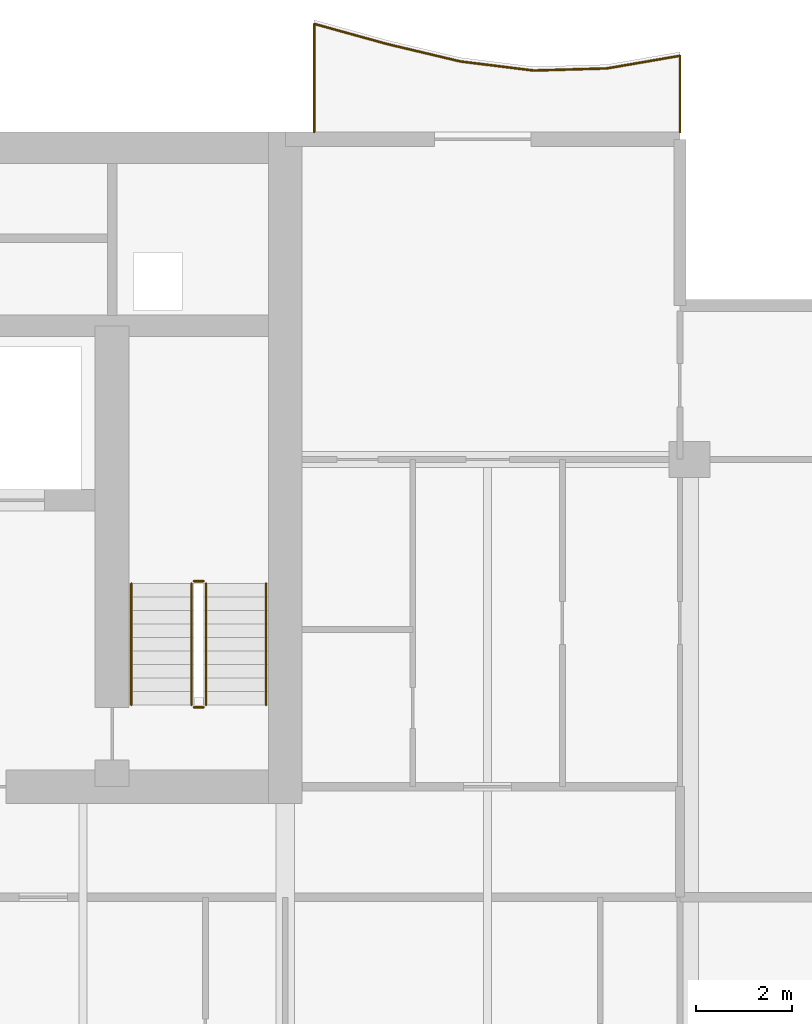
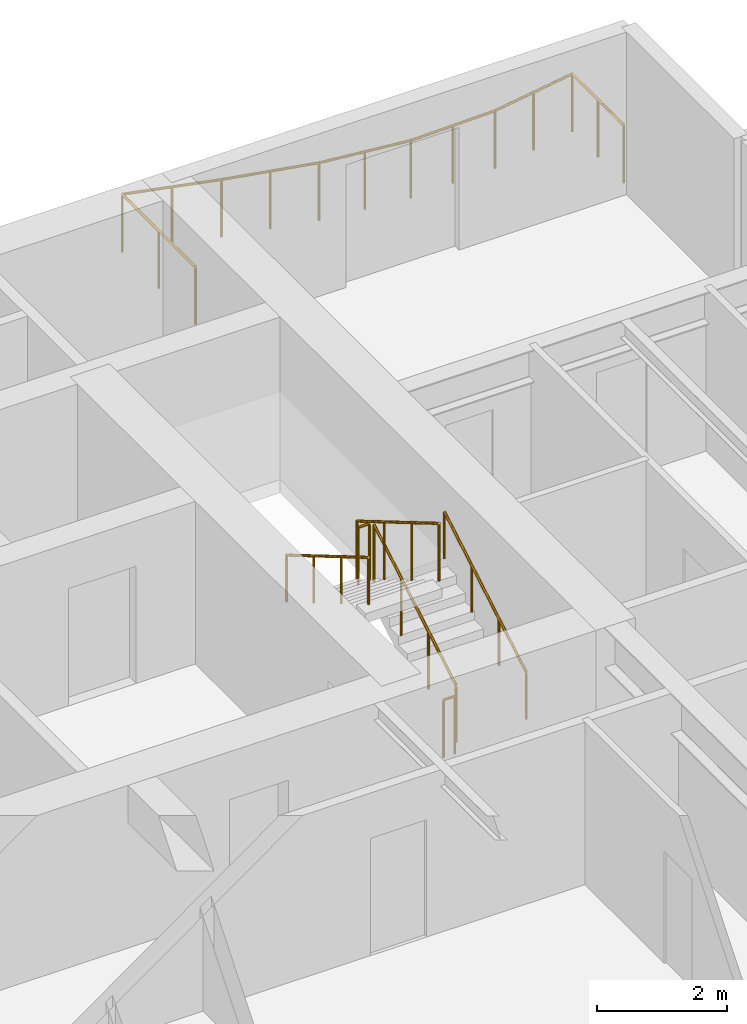
# One storey, part 15 of 16: 7 railings.
"""IFC4 building model written with IfcOpenShell, lengths in metres."""

import ifcopenshell
import ifcopenshell.guid

model = None  # the IFC model being written
_history = None  # IfcOwnerHistory: only IFC2X3 demands one
_inside = {}  # id of a spatial element -> (the spatial element, [elements in it])
_under = {}  # id of a project, library or spatial element -> (it, [spatial elements below it])
_declared = {}  # id of a project -> (the project, [libraries it declares])
_typed = {}  # id of a type object -> (the type object, [elements of that type])
_made_of = {}  # id of a material, layer set ... -> (it, [elements and type objects made of it])


def new_model(schema):
    """Start an empty IFC model of exactly this schema.

    Asked for "IFC4X3", IfcOpenShell would pick the latest addendum, in which some entities
    have other attributes; the version numbers below select the first issue.
    IFC2X3 requires an IfcOwnerHistory on every rooted entity: one is made here for all.
    """
    global model, _history
    if schema == "IFC4X3":
        model = ifcopenshell.file(schema_version=(4, 3, 0, 0))
    else:
        model = ifcopenshell.file(schema=schema)
    _inside.clear()
    _under.clear()
    _declared.clear()
    _typed.clear()
    _made_of.clear()
    _history = None
    if model.schema == "IFC2X3":
        org = make("IfcOrganization", Name="unknown")
        user = make(
            "IfcPersonAndOrganization",
            ThePerson=make("IfcPerson", FamilyName="unknown"),
            TheOrganization=org,
        )
        app = make(
            "IfcApplication",
            ApplicationDeveloper=org,
            Version="unknown",
            ApplicationFullName="unknown",
            ApplicationIdentifier="unknown",
        )
        _history = make(
            "IfcOwnerHistory",
            OwningUser=user,
            OwningApplication=app,
            ChangeAction="ADDED",
            CreationDate=0,
        )
    return model


def make(cls, **values):
    """One entity of the class cls with the attributes given. An attribute that is None is left unset."""
    return model.create_entity(
        cls, **{name: value for name, value in values.items() if value is not None}
    )


def rooted(cls, **values):
    """An entity with a GlobalId (a new one), such as an element, a storey or a relation."""
    return make(cls, GlobalId=ifcopenshell.guid.new(), OwnerHistory=_history, **values)


def si_unit(unit_type, name, prefix=None):
    """IfcSIUnit, for example si_unit("LENGTHUNIT", "METRE", prefix="MILLI")."""
    return make("IfcSIUnit", UnitType=unit_type, Prefix=prefix, Name=name)


def assignment(units):
    """IfcUnitAssignment: the units of a project."""
    return None if units is None else make("IfcUnitAssignment", Units=units)


def point(xyz):
    """IfcCartesianPoint."""
    return None if xyz is None else make("IfcCartesianPoint", Coordinates=xyz)


def direction(xyz):
    """IfcDirection."""
    return None if xyz is None else make("IfcDirection", DirectionRatios=xyz)


def frame(location, z_axis=None, x_axis=None):
    """IfcAxis2Placement3D, a coordinate frame: its origin and axes. An axis left out is left unset."""
    return make(
        "IfcAxis2Placement3D",
        Location=point(location),
        Axis=direction(z_axis),
        RefDirection=direction(x_axis),
    )


def frame_2d(location, x_axis=None):
    """IfcAxis2Placement2D, a coordinate frame in the plane: its origin and x axis."""
    return make(
        "IfcAxis2Placement2D", Location=point(location), RefDirection=direction(x_axis)
    )


def origin():
    """The frame at (0, 0, 0) with its axes left unset."""
    return frame((0.0, 0.0, 0.0))


def origin_2d():
    """The frame at (0, 0) in the plane with its x axis left unset."""
    return frame_2d((0.0, 0.0))


def place(relative_to, where):
    """IfcLocalPlacement: puts the frame where relative to a parent placement (None: the world)."""
    return make(
        "IfcLocalPlacement", PlacementRelTo=relative_to, RelativePlacement=where
    )


def context(
    kind, dimensions, precision=None, world=None, true_north=None, identifier=None
):
    """IfcGeometricRepresentationContext, for example the 3D "Model" context."""
    return make(
        "IfcGeometricRepresentationContext",
        ContextIdentifier=identifier,
        ContextType=kind,
        CoordinateSpaceDimension=dimensions,
        Precision=precision,
        WorldCoordinateSystem=world,
        TrueNorth=true_north,
    )


def subcontext(parent, identifier, kind, view, scale=None):
    """IfcGeometricRepresentationSubContext, for example "Body" below "Model"."""
    return make(
        "IfcGeometricRepresentationSubContext",
        ContextIdentifier=identifier,
        ContextType=kind,
        ParentContext=parent,
        TargetScale=scale,
        TargetView=view,
    )


def project(units=None, contexts=None):
    """IfcProject with its units and contexts."""
    return rooted(
        "IfcProject",
        Name="project",
        RepresentationContexts=contexts,
        UnitsInContext=assignment(units),
    )


def spatial(cls, under=None, at=None, **own):
    """A site, building, storey or space (cls), placed at a placement, below another one or the project."""
    s = rooted(cls, ObjectPlacement=at, **own)
    if under is not None:
        _under.setdefault(under.id(), (under, []))[1].append(s)
    return s


def profile(cls, at=None, kind="AREA", **sizes):
    """A parametric profile (cls). Its sizes go by their IFC names, for example OverallWidth=200.0."""
    return make(cls, ProfileType=kind, Position=at, **sizes)


def circle(**sizes):
    """IfcCircleProfileDef."""
    return profile("IfcCircleProfileDef", **sizes)


def extrude(swept, where, along, depth):
    """IfcExtrudedAreaSolid: the profile swept, set in the frame where, extruded along a direction by depth."""
    return make(
        "IfcExtrudedAreaSolid",
        SweptArea=swept,
        Position=where,
        ExtrudedDirection=direction(along),
        Depth=depth,
    )


def shape(context_of_items, identifier, shape_type, items):
    """IfcShapeRepresentation: the items that make up one representation, for example the "Body"."""
    return make(
        "IfcShapeRepresentation",
        ContextOfItems=context_of_items,
        RepresentationIdentifier=identifier,
        RepresentationType=shape_type,
        Items=items,
    )


def material(Name=None, Category=None):
    """IfcMaterial."""
    return make("IfcMaterial", Name=Name, Category=Category)


def made_of(thing, what):
    """Note that an element or type object is made of a material, layer set ...; save() writes the relation."""
    if what is not None:
        _made_of.setdefault(what.id(), (what, []))[1].append(thing)
    return thing


def type_object(cls, material=None, **own):
    """A type object (cls), such as IfcWallType, which elements share."""
    return made_of(rooted(cls, **own), material)


def element(
    cls,
    number,
    at=None,
    inside=None,
    cuts=None,
    type_object=None,
    material=None,
    context=None,
    identifier="Body",
    shape_type=None,
    held_by="IfcProductDefinitionShape",
    body=None,
    shapes=None,
    **own,
):
    """One element of the class cls, such as IfcWall. Its Tag is "e" and its number.

    at: its placement. inside: the storey or other place that contains it. cuts: it is an
    opening in that element (IfcRelVoidsElement). A single representation is given by context,
    identifier, shape_type and body (its items); several are given by shapes. held_by: the class
    of the entity that holds the representations. save() writes the other relations.
    """
    e = rooted(cls, Tag="e%d" % number, ObjectPlacement=at, **own)
    if body is not None:
        shapes = [shape(context, identifier, shape_type, body)]
    if shapes is not None:
        e.Representation = make(held_by, Representations=shapes)
    if inside is not None:
        _inside.setdefault(inside.id(), (inside, []))[1].append(e)
    if cuts is not None:
        rooted(
            "IfcRelVoidsElement", RelatingBuildingElement=cuts, RelatedOpeningElement=e
        )
    if type_object is not None:
        _typed.setdefault(type_object.id(), (type_object, []))[1].append(e)
    return made_of(e, material)


def aggregate(whole, parts):
    """IfcRelAggregates: a whole, such as a stair, and the parts it consists of."""
    return rooted("IfcRelAggregates", RelatingObject=whole, RelatedObjects=parts)


def save(model, path):
    """Write the relations noted so far, then the file.

    IfcRelAggregates (storeys below a building ...), IfcRelContainedInSpatialStructure (elements
    in a storey), IfcRelDefinesByType, IfcRelAssociatesMaterial and IfcRelDeclares: one each for
    every whole, place, type object, material and project.
    """
    for whole, parts in _under.values():
        aggregate(whole, parts)
    for where, things in _inside.values():
        rooted(
            "IfcRelContainedInSpatialStructure",
            RelatedElements=things,
            RelatingStructure=where,
        )
    for kind, things in _typed.values():
        rooted("IfcRelDefinesByType", RelatedObjects=things, RelatingType=kind)
    for what, things in _made_of.values():
        rooted("IfcRelAssociatesMaterial", RelatedObjects=things, RelatingMaterial=what)
    for by, libraries in _declared.values():
        rooted("IfcRelDeclares", RelatingContext=by, RelatedDefinitions=libraries)
    model.write(path)


model = new_model("IFC4")

# Units and contexts
model_context = context("Model", 3, precision=1e-05, world=origin(), true_north=direction((0.0, 1.0)))
body_context = subcontext(model_context, "Body", "Model", "MODEL_VIEW")
ifc_project = project(units=[si_unit("LENGTHUNIT", "METRE"), si_unit("AREAUNIT", "SQUARE_METRE"), si_unit("VOLUMEUNIT", "CUBIC_METRE"), si_unit("PLANEANGLEUNIT", "RADIAN"), si_unit("MASSUNIT", "GRAM", prefix="KILO")], contexts=[model_context])

# Site, building, storey
site_placement = place(None, origin())
site = spatial("IfcSite", under=ifc_project, at=site_placement, CompositionType="ELEMENT")
building_placement = place(site_placement, origin())
building = spatial("IfcBuilding", under=site, at=building_placement, Name="Caelmar Bay Residences", CompositionType="ELEMENT")
storey_placement = place(building_placement, frame((0.0, 0.0, 198.300048828125)))
storey = spatial("IfcBuildingStorey", under=building, at=storey_placement, Name="L55", CompositionType="ELEMENT", Elevation=198.300048828125)

# Railings
ifc_material_1 = material(Name="Anodised bronze handrail with laminated hurricane glass infill", Category="glass")
railing_type_1 = type_object("IfcRailingType", Name="RL-BAL-1100", PredefinedType="BALUSTRADE", material=ifc_material_1)
railing_1_placement = place(storey_placement, frame((67.699951171875, 50.60009765625, 0.0)))
element("IfcRailing", 1, at=railing_1_placement, inside=storey, type_object=railing_type_1, Name="L55 north_east Balcony Balustrade", PredefinedType="BALUSTRADE", context=body_context, shape_type="SweptSolid", body=[
    extrude(circle(Radius=0.02392578125, at=origin_2d()), frame((0.0, 0.0, 1.076171875), z_axis=(0.0, 1.0, 0.0), x_axis=(-1.0, 0.0, 0.0)), (0.0, 0.0, 1.0), 1.588134765625),
    extrude(circle(Radius=0.02392578125, at=origin_2d()), frame((0.0, 1.588134765625, 1.076171875), z_axis=(-0.985445490472, -0.169991721293, 0.0), x_axis=(0.169991721293, -0.985445490472, 0.0)), (0.0, 0.0, 1.0), 1.54248046875),
    extrude(circle(Radius=0.02392578125, at=origin_2d()), frame((-1.52001953125, 1.325927734375, 1.076171875), z_axis=(-0.999582338318, -0.028898943286, 0.0), x_axis=(0.028898943286, -0.999582338318, 0.0)), (0.0, 0.0, 1.0), 1.520751953125),
    extrude(circle(Radius=0.02392578125, at=origin_2d()), frame((-3.0400390625, 1.281982421875, 1.076171875), z_axis=(-0.992419457445, 0.122896787936, 0.0), x_axis=(-0.122896787936, -0.992419457445, 0.0)), (0.0, 0.0, 1.0), 1.53173828125),
    extrude(circle(Radius=0.02392578125, at=origin_2d()), frame((-4.56005859375, 1.47021484375, 1.076171875), z_axis=(-0.972916782402, 0.231155649987, 0.0), x_axis=(-0.231155649987, -0.972916782402, 0.0)), (0.0, 0.0, 1.0), 1.56201171875),
    extrude(circle(Radius=0.02392578125, at=origin_2d()), frame((-6.079833984375, 1.831298828125, 1.076171875), z_axis=(-0.96381450531, 0.266573815956, 0.0), x_axis=(-0.266573815956, -0.96381450531, 0.0)), (0.0, 0.0, 1.0), 1.5771484375),
    extrude(circle(Radius=0.02392578125, at=origin_2d()), frame((-7.599853515625, 2.251708984375, 1.076171875), z_axis=(0.0, -1.0, 0.0), x_axis=(1.0, 0.0, 0.0)), (0.0, 0.0, 1.0), 2.251708984375),
    extrude(circle(Radius=0.02099609375, at=origin_2d()), origin(), (0.0, 0.0, 1.0), 1.052001953125),
    extrude(circle(Radius=0.02099609375, at=origin_2d()), frame((0.0, 0.7939453125, 0.0)), (0.0, 0.0, 1.0), 1.052001953125),
    extrude(circle(Radius=0.02099609375, at=origin_2d()), frame((0.0, 1.588134765625, 0.0)), (0.0, 0.0, 1.0), 1.052001953125),
    extrude(circle(Radius=0.02099609375, at=origin_2d()), frame((-0.760009765625, 1.45703125, 0.0)), (0.0, 0.0, 1.0), 1.052001953125),
    extrude(circle(Radius=0.02099609375, at=origin_2d()), frame((-1.52001953125, 1.325927734375, 0.0)), (0.0, 0.0, 1.0), 1.052001953125),
    extrude(circle(Radius=0.02099609375, at=origin_2d()), frame((-2.280029296875, 1.303955078125, 0.0)), (0.0, 0.0, 1.0), 1.052001953125),
    extrude(circle(Radius=0.02099609375, at=origin_2d()), frame((-3.0400390625, 1.281982421875, 0.0)), (0.0, 0.0, 1.0), 1.052001953125),
    extrude(circle(Radius=0.02099609375, at=origin_2d()), frame((-3.800048828125, 1.3759765625, 0.0)), (0.0, 0.0, 1.0), 1.052001953125),
    extrude(circle(Radius=0.02099609375, at=origin_2d()), frame((-4.56005859375, 1.47021484375, 0.0)), (0.0, 0.0, 1.0), 1.052001953125),
    extrude(circle(Radius=0.02099609375, at=origin_2d()), frame((-5.31982421875, 1.65087890625, 0.0)), (0.0, 0.0, 1.0), 1.052001953125),
    extrude(circle(Radius=0.02099609375, at=origin_2d()), frame((-6.079833984375, 1.831298828125, 0.0)), (0.0, 0.0, 1.0), 1.052001953125),
    extrude(circle(Radius=0.02099609375, at=origin_2d()), frame((-6.83984375, 2.04150390625, 0.0)), (0.0, 0.0, 1.0), 1.052001953125),
    extrude(circle(Radius=0.02099609375, at=origin_2d()), frame((-7.599853515625, 2.251708984375, 0.0)), (0.0, 0.0, 1.0), 1.052001953125),
    extrude(circle(Radius=0.02099609375, at=origin_2d()), frame((-7.599853515625, 1.1259765625, 0.0)), (0.0, 0.0, 1.0), 1.052001953125),
    extrude(circle(Radius=0.02099609375, at=origin_2d()), frame((-7.599853515625, 0.0, 0.0)), (0.0, 0.0, 1.0), 1.052001953125),
])
ifc_material_2 = material(Name="Painted galvanized steel stair guard 1100 mm", Category="steel")
railing_type_2 = type_object("IfcRailingType", Name="RL-GRD-1100", PredefinedType="GUARDRAIL", material=ifc_material_2)
railing_2_placement = place(storey_placement, frame((57.85009765625, 38.699951171875, 0.1650390625)))
element("IfcRailing", 2, at=railing_2_placement, inside=storey, type_object=railing_type_2, Name="L55 ST2 stair guard 1", PredefinedType="GUARDRAIL", context=body_context, shape_type="SweptSolid", body=[
    extrude(circle(Radius=0.02392578125, at=origin_2d()), frame((0.0, 0.0, 1.076171875), z_axis=(0.0, 0.861560626758, 0.507654692109), x_axis=(-1.0, 0.0, 0.0)), (0.0, 0.0, 1.0), 2.925048828125),
    extrude(circle(Radius=0.02099609375, at=origin_2d()), origin(), (0.0, 0.0, 1.0), 1.052001953125),
    extrude(circle(Radius=0.02099609375, at=origin_2d()), frame((0.0, 0.840087890625, 0.494873046875)), (0.0, 0.0, 1.0), 1.052001953125),
    extrude(circle(Radius=0.02099609375, at=origin_2d()), frame((0.0, 1.679931640625, 0.989990234375)), (0.0, 0.0, 1.0), 1.052001953125),
    extrude(circle(Radius=0.02099609375, at=origin_2d()), frame((0.0, 2.52001953125, 1.48486328125)), (0.0, 0.0, 1.0), 1.052001953125),
])
railing_3_placement = place(storey_placement, frame((57.800048828125, 41.27001953125, 1.64990234375)))
element("IfcRailing", 3, at=railing_3_placement, inside=storey, type_object=railing_type_2, Name="L55 ST2 stair guard 2", PredefinedType="GUARDRAIL", context=body_context, shape_type="SweptSolid", body=[
    extrude(circle(Radius=0.02392578125, at=origin_2d()), frame((0.0, 0.0, 1.076171875), z_axis=(-1.0, 0.0, 0.0), x_axis=(0.0, -1.0, 0.0)), (0.0, 0.0, 1.0), 0.199951171875),
    extrude(circle(Radius=0.02099609375, at=origin_2d()), origin(), (0.0, 0.0, 1.0), 1.052001953125),
    extrude(circle(Radius=0.02099609375, at=origin_2d()), frame((-0.199951171875, 0.0, 0.0)), (0.0, 0.0, 1.0), 1.052001953125),
])
railing_4_placement = place(storey_placement, frame((57.550048828125, 41.219970703125, 1.81494140625)))
element("IfcRailing", 4, at=railing_4_placement, inside=storey, type_object=railing_type_2, Name="L55 ST2 stair guard 3", PredefinedType="GUARDRAIL", context=body_context, shape_type="SweptSolid", body=[
    extrude(circle(Radius=0.02392578125, at=origin_2d()), frame((0.0, 0.0, 1.076171875), z_axis=(0.0, -0.86152411907, 0.507716645641), x_axis=(1.0, 0.0, 0.0)), (0.0, 0.0, 1.0), 2.925048828125),
    extrude(circle(Radius=0.02099609375, at=origin_2d()), origin(), (0.0, 0.0, 1.0), 1.052001953125),
    extrude(circle(Radius=0.02099609375, at=origin_2d()), frame((0.0, -0.840087890625, 0.4951171875)), (0.0, 0.0, 1.0), 1.052001953125),
    extrude(circle(Radius=0.02099609375, at=origin_2d()), frame((0.0, -1.679931640625, 0.989990234375)), (0.0, 0.0, 1.0), 1.052001953125),
    extrude(circle(Radius=0.02099609375, at=origin_2d()), frame((0.0, -2.52001953125, 1.485107421875)), (0.0, 0.0, 1.0), 1.052001953125),
])
railing_5_placement = place(storey_placement, frame((57.800048828125, 38.64990234375, 0.0)))
element("IfcRailing", 5, at=railing_5_placement, inside=storey, type_object=railing_type_2, Name="L55 ST2 stair guard 4", PredefinedType="GUARDRAIL", context=body_context, shape_type="SweptSolid", body=[
    extrude(circle(Radius=0.02392578125, at=origin_2d()), frame((0.0, 0.0, 1.076171875), z_axis=(-1.0, 0.0, 0.0), x_axis=(0.0, -1.0, 0.0)), (0.0, 0.0, 1.0), 0.199951171875),
    extrude(circle(Radius=0.02099609375, at=origin_2d()), origin(), (0.0, 0.0, 1.0), 1.052001953125),
    extrude(circle(Radius=0.02099609375, at=origin_2d()), frame((-0.199951171875, 0.0, 0.0)), (0.0, 0.0, 1.0), 1.052001953125),
])
ifc_material_3 = material(Name="Brushed bronze stainless-steel tubular handrail 900 mm", Category="steel")
railing_type_3 = type_object("IfcRailingType", Name="RL-HND-900", PredefinedType="HANDRAIL", material=ifc_material_3)
railing_6_placement = place(storey_placement, frame((59.10009765625, 38.699951171875, 0.1650390625)))
element("IfcRailing", 6, at=railing_6_placement, inside=storey, type_object=railing_type_3, Name="L55 ST2 stair handrail 1", PredefinedType="HANDRAIL", context=body_context, shape_type="SweptSolid", body=[
    extrude(circle(Radius=0.02392578125, at=origin_2d()), frame((0.0, 0.0, 0.8759765625), z_axis=(0.0, 0.861560626758, 0.507654692109), x_axis=(-1.0, 0.0, 0.0)), (0.0, 0.0, 1.0), 2.925048828125),
    extrude(circle(Radius=0.02099609375, at=origin_2d()), origin(), (0.0, 0.0, 1.0), 0.851806640625),
    extrude(circle(Radius=0.02099609375, at=origin_2d()), frame((0.0, 0.840087890625, 0.494873046875)), (0.0, 0.0, 1.0), 0.851806640625),
    extrude(circle(Radius=0.02099609375, at=origin_2d()), frame((0.0, 1.679931640625, 0.989990234375)), (0.0, 0.0, 1.0), 0.851806640625),
    extrude(circle(Radius=0.02099609375, at=origin_2d()), frame((0.0, 2.52001953125, 1.48486328125)), (0.0, 0.0, 1.0), 0.851806640625),
])
railing_7_placement = place(storey_placement, frame((56.300048828125, 41.219970703125, 1.81494140625)))
element("IfcRailing", 7, at=railing_7_placement, inside=storey, type_object=railing_type_3, Name="L55 ST2 stair handrail 2", PredefinedType="HANDRAIL", context=body_context, shape_type="SweptSolid", body=[
    extrude(circle(Radius=0.02392578125, at=origin_2d()), frame((0.0, 0.0, 0.8759765625), z_axis=(0.0, -0.86152411907, 0.507716645641), x_axis=(1.0, 0.0, 0.0)), (0.0, 0.0, 1.0), 2.925048828125),
    extrude(circle(Radius=0.02099609375, at=origin_2d()), origin(), (0.0, 0.0, 1.0), 0.851806640625),
    extrude(circle(Radius=0.02099609375, at=origin_2d()), frame((0.0, -0.840087890625, 0.4951171875)), (0.0, 0.0, 1.0), 0.851806640625),
    extrude(circle(Radius=0.02099609375, at=origin_2d()), frame((0.0, -1.679931640625, 0.989990234375)), (0.0, 0.0, 1.0), 0.851806640625),
    extrude(circle(Radius=0.02099609375, at=origin_2d()), frame((0.0, -2.52001953125, 1.485107421875)), (0.0, 0.0, 1.0), 0.851806640625),
])

save(model, "model.ifc")
